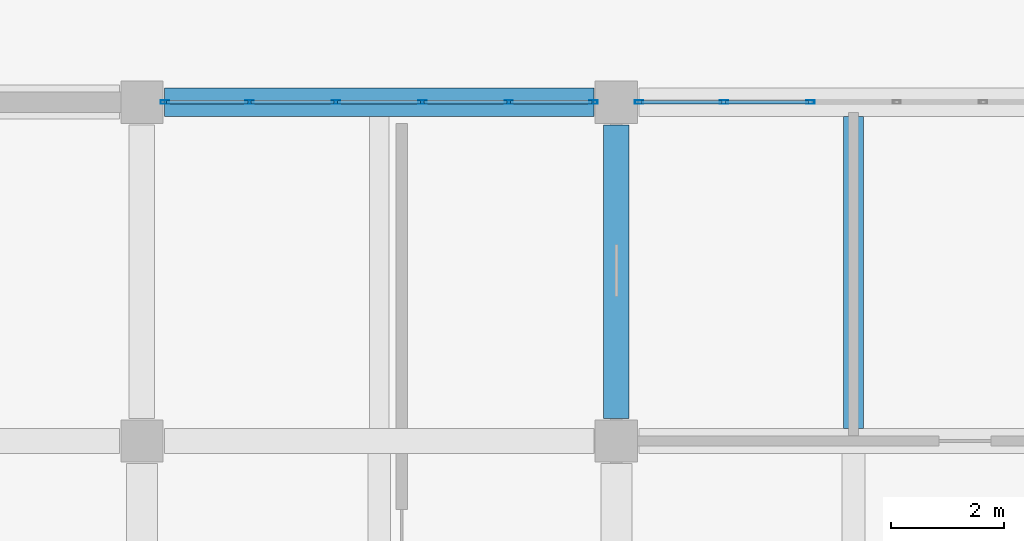
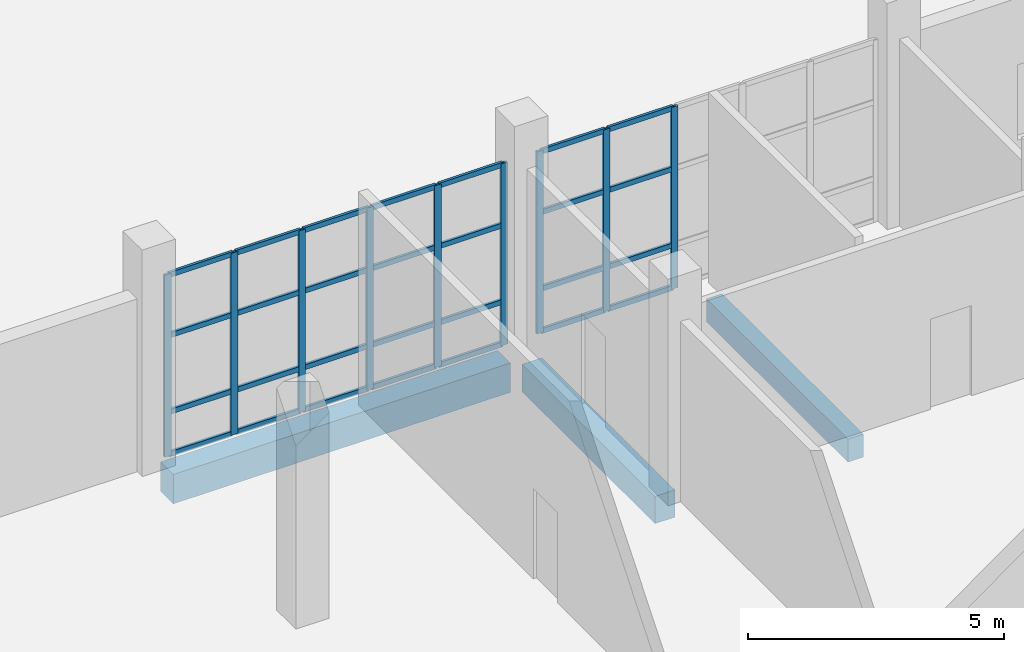
# One storey, part 43 of 78: 37 members, 3 beams, 2 elements without a shape of their own.
"""IFC4 building model written with IfcOpenShell, lengths in metres."""

from ifc_helpers import new_model, si_unit, direction, frame, origin, origin_2d, place, context, subcontext, project, spatial, rectangle, hollow_rectangle, extrude, material, material_profile, profile_set, type_object, element, aggregate, save


model = new_model("IFC4")

# Units and contexts
model_context = context("Model", 3, precision=1e-05, world=origin(), true_north=direction((0.0, 1.0)))
body_context = subcontext(model_context, "Body", "Model", "MODEL_VIEW")
ifc_project = project(units=[si_unit("LENGTHUNIT", "METRE"), si_unit("AREAUNIT", "SQUARE_METRE"), si_unit("VOLUMEUNIT", "CUBIC_METRE"), si_unit("PLANEANGLEUNIT", "RADIAN"), si_unit("MASSUNIT", "GRAM", prefix="KILO")], contexts=[model_context])

# Site, building, storey
site_placement = place(None, origin())
site = spatial("IfcSite", under=ifc_project, at=site_placement, CompositionType="ELEMENT")
building_placement = place(site_placement, origin())
building = spatial("IfcBuilding", under=site, at=building_placement, Name="Pellamere Symphony Hall", CompositionType="ELEMENT")
storey_placement = place(building_placement, origin())
storey = spatial("IfcBuildingStorey", under=building, at=storey_placement, Name="L00", CompositionType="ELEMENT", Elevation=0.0)

# Curtain wall, members
ifc_material_1 = material(Name="Thermally Broken Anodised Aluminium 6063-T6 Curtain Wall", Category="aluminium")
curtain_wall_type = type_object("IfcCurtainWallType", Name="Curtain Wall CW-05 (Artists Wing North Studio Ribbon Curtain Wall)", PredefinedType="NOTDEFINED", material=ifc_material_1)
curtain_wall_1_placement = place(storey_placement, origin())
curtain_wall_1 = element("IfcCurtainWall", 1, at=curtain_wall_1_placement, inside=storey, type_object=curtain_wall_type, Name="Artists Wing North Studio Curtain Wall (L00 Bay 1)", PredefinedType="NOTDEFINED")
ifc_material_2 = material(Name="Anodised Architectural Aluminium 6063-T6", Category="aluminium")
ifc_material_profile_1 = material_profile(ifc_material_2, hollow_rectangle(XDim=0.06005859375, YDim=0.14990234375, WallThickness=0.00390625, at=origin_2d()), Name="ALU-M60X150X4")
ifc_profile_set_1 = profile_set([ifc_material_profile_1], Name="Anodised Architectural Aluminium 6063-T6")
member_type_1 = type_object("IfcMemberType", Name="Curtain Wall Mullion ML-03 ALU-M60X150X4", PredefinedType="MULLION", material=ifc_profile_set_1)
member_1_placement = place(storey_placement, frame((148.0048828125, 99.60009765625, 0.0), z_axis=(0.0, 0.0, 1.0), x_axis=(0.0, 1.0, 0.0)))
member_1 = element("IfcMember", 2, at=member_1_placement, type_object=member_type_1, Name="CW5-124 crystal mullion 1", PredefinedType="MULLION", context=body_context, shape_type="SweptSolid", body=[
    extrude(hollow_rectangle(XDim=0.06005859375, YDim=0.14990234375, WallThickness=0.00390625, at=origin_2d()), origin(), (0.0, 0.0, 1.0), 4.340087890625),
])
member_2_placement = place(storey_placement, frame((149.5048828125, 99.60009765625, 0.0), z_axis=(0.0, 0.0, 1.0), x_axis=(0.0, 1.0, 0.0)))
member_2 = element("IfcMember", 3, at=member_2_placement, type_object=member_type_1, Name="CW5-124 crystal mullion 2", PredefinedType="MULLION", context=body_context, shape_type="SweptSolid", body=[
    extrude(hollow_rectangle(XDim=0.06005859375, YDim=0.14990234375, WallThickness=0.00390625, at=origin_2d()), origin(), (0.0, 0.0, 1.0), 4.340087890625),
])
member_3_placement = place(storey_placement, frame((151.034912109375, 99.60009765625, 0.0), z_axis=(0.0, 0.0, 1.0), x_axis=(0.0, 1.0, 0.0)))
member_3 = element("IfcMember", 4, at=member_3_placement, type_object=member_type_1, Name="CW5-124 crystal mullion 3", PredefinedType="MULLION", context=body_context, shape_type="SweptSolid", body=[
    extrude(hollow_rectangle(XDim=0.06005859375, YDim=0.14990234375, WallThickness=0.00390625, at=origin_2d()), origin(), (0.0, 0.0, 1.0), 4.340087890625),
])
member_4_placement = place(storey_placement, frame((152.56494140625, 99.60009765625, 0.0), z_axis=(0.0, 0.0, 1.0), x_axis=(0.0, 1.0, 0.0)))
member_4 = element("IfcMember", 5, at=member_4_placement, type_object=member_type_1, Name="CW5-124 crystal mullion 4", PredefinedType="MULLION", context=body_context, shape_type="SweptSolid", body=[
    extrude(hollow_rectangle(XDim=0.06005859375, YDim=0.14990234375, WallThickness=0.00390625, at=origin_2d()), origin(), (0.0, 0.0, 1.0), 4.340087890625),
])
member_5_placement = place(storey_placement, frame((154.094970703125, 99.60009765625, 0.0), z_axis=(0.0, 0.0, 1.0), x_axis=(0.0, 1.0, 0.0)))
member_5 = element("IfcMember", 6, at=member_5_placement, type_object=member_type_1, Name="CW5-124 crystal mullion 5", PredefinedType="MULLION", context=body_context, shape_type="SweptSolid", body=[
    extrude(hollow_rectangle(XDim=0.06005859375, YDim=0.14990234375, WallThickness=0.00390625, at=origin_2d()), origin(), (0.0, 0.0, 1.0), 4.340087890625),
])
member_6_placement = place(storey_placement, frame((155.594970703125, 99.60009765625, 0.0), z_axis=(0.0, 0.0, 1.0), x_axis=(0.0, 1.0, 0.0)))
member_6 = element("IfcMember", 7, at=member_6_placement, type_object=member_type_1, Name="CW5-124 crystal mullion 6", PredefinedType="MULLION", context=body_context, shape_type="SweptSolid", body=[
    extrude(hollow_rectangle(XDim=0.06005859375, YDim=0.14990234375, WallThickness=0.00390625, at=origin_2d()), origin(), (0.0, 0.0, 1.0), 4.340087890625),
])

curtain_wall_2_placement = place(storey_placement, origin())
curtain_wall_2 = element("IfcCurtainWall", 8, at=curtain_wall_2_placement, inside=storey, type_object=curtain_wall_type, Name="Artists Wing North Studio Curtain Wall (L00 Bay 2)", PredefinedType="NOTDEFINED")
member_7_placement = place(storey_placement, frame((156.405029296875, 99.60009765625, 0.0), z_axis=(0.0, 0.0, 1.0), x_axis=(0.0, 1.0, 0.0)))
member_7 = element("IfcMember", 9, at=member_7_placement, type_object=member_type_1, Name="CW5-125 crystal mullion 1", PredefinedType="MULLION", context=body_context, shape_type="SweptSolid", body=[
    extrude(hollow_rectangle(XDim=0.06005859375, YDim=0.14990234375, WallThickness=0.00390625, at=origin_2d()), origin(), (0.0, 0.0, 1.0), 4.340087890625),
])
member_8_placement = place(storey_placement, frame((157.905029296875, 99.60009765625, 0.0), z_axis=(0.0, 0.0, 1.0), x_axis=(0.0, 1.0, 0.0)))
member_8 = element("IfcMember", 10, at=member_8_placement, type_object=member_type_1, Name="CW5-125 crystal mullion 2", PredefinedType="MULLION", context=body_context, shape_type="SweptSolid", body=[
    extrude(hollow_rectangle(XDim=0.06005859375, YDim=0.14990234375, WallThickness=0.00390625, at=origin_2d()), origin(), (0.0, 0.0, 1.0), 4.340087890625),
])
member_9_placement = place(storey_placement, frame((159.43505859375, 99.60009765625, 0.0), z_axis=(0.0, 0.0, 1.0), x_axis=(0.0, 1.0, 0.0)))
member_9 = element("IfcMember", 11, at=member_9_placement, type_object=member_type_1, Name="CW5-125 crystal mullion 3", PredefinedType="MULLION", context=body_context, shape_type="SweptSolid", body=[
    extrude(hollow_rectangle(XDim=0.06005859375, YDim=0.14990234375, WallThickness=0.00390625, at=origin_2d()), origin(), (0.0, 0.0, 1.0), 4.340087890625),
])

# Member
ifc_material_profile_2 = material_profile(ifc_material_2, hollow_rectangle(XDim=0.06005859375, YDim=0.1201171875, WallThickness=0.00390625, at=origin_2d()), Name="ALU-T60X120X4")
ifc_profile_set_2 = profile_set([ifc_material_profile_2], Name="Anodised Architectural Aluminium 6063-T6")
member_type_2 = type_object("IfcMemberType", Name="Curtain Wall Transom TR-03 ALU-T60X120X4", PredefinedType="USERDEFINED", material=ifc_profile_set_2)
member_10_placement = place(storey_placement, frame((148.034912109375, 99.60009765625, 0.030029296875), z_axis=(1.0, 0.0, 0.0), x_axis=(0.0, 1.0, 0.0)))
member_10 = element("IfcMember", 12, at=member_10_placement, type_object=member_type_2, Name="CW5-124 crystal transom 1.1", ObjectType="TRANSOM", PredefinedType="USERDEFINED", context=body_context, shape_type="SweptSolid", body=[
    extrude(hollow_rectangle(XDim=0.06005859375, YDim=0.1201171875, WallThickness=0.00390625, at=origin_2d()), origin(), (0.0, 0.0, 1.0), 1.440185546875),
])

member_11_placement = place(storey_placement, frame((148.034912109375, 99.60009765625, 1.04150390625), z_axis=(1.0, 0.0, 0.0), x_axis=(0.0, 1.0, 0.0)))
member_11 = element("IfcMember", 13, at=member_11_placement, type_object=member_type_2, Name="CW5-124 crystal transom 1.2", ObjectType="TRANSOM", PredefinedType="USERDEFINED", context=body_context, shape_type="SweptSolid", body=[
    extrude(hollow_rectangle(XDim=0.06005859375, YDim=0.1201171875, WallThickness=0.00390625, at=origin_2d()), origin(), (0.0, 0.0, 1.0), 1.440185546875),
])

member_12_placement = place(storey_placement, frame((148.034912109375, 99.60009765625, 2.864501953125), z_axis=(1.0, 0.0, 0.0), x_axis=(0.0, 1.0, 0.0)))
member_12 = element("IfcMember", 14, at=member_12_placement, type_object=member_type_2, Name="CW5-124 crystal transom 1.3", ObjectType="TRANSOM", PredefinedType="USERDEFINED", context=body_context, shape_type="SweptSolid", body=[
    extrude(hollow_rectangle(XDim=0.06005859375, YDim=0.1201171875, WallThickness=0.00390625, at=origin_2d()), origin(), (0.0, 0.0, 1.0), 1.440185546875),
])

member_13_placement = place(storey_placement, frame((148.034912109375, 99.60009765625, 4.31005859375), z_axis=(1.0, 0.0, 0.0), x_axis=(0.0, 1.0, 0.0)))
member_13 = element("IfcMember", 15, at=member_13_placement, type_object=member_type_2, Name="CW5-124 crystal transom 1.4", ObjectType="TRANSOM", PredefinedType="USERDEFINED", context=body_context, shape_type="SweptSolid", body=[
    extrude(hollow_rectangle(XDim=0.06005859375, YDim=0.1201171875, WallThickness=0.00390625, at=origin_2d()), origin(), (0.0, 0.0, 1.0), 1.440185546875),
])

member_14_placement = place(storey_placement, frame((149.534912109375, 99.60009765625, 0.030029296875), z_axis=(1.0, 0.0, 0.0), x_axis=(0.0, 1.0, 0.0)))
member_14 = element("IfcMember", 16, at=member_14_placement, type_object=member_type_2, Name="CW5-124 crystal transom 2.1", ObjectType="TRANSOM", PredefinedType="USERDEFINED", context=body_context, shape_type="SweptSolid", body=[
    extrude(hollow_rectangle(XDim=0.06005859375, YDim=0.1201171875, WallThickness=0.00390625, at=origin_2d()), origin(), (0.0, 0.0, 1.0), 1.469970703125),
])

member_15_placement = place(storey_placement, frame((149.534912109375, 99.60009765625, 1.04150390625), z_axis=(1.0, 0.0, 0.0), x_axis=(0.0, 1.0, 0.0)))
member_15 = element("IfcMember", 17, at=member_15_placement, type_object=member_type_2, Name="CW5-124 crystal transom 2.2", ObjectType="TRANSOM", PredefinedType="USERDEFINED", context=body_context, shape_type="SweptSolid", body=[
    extrude(hollow_rectangle(XDim=0.06005859375, YDim=0.1201171875, WallThickness=0.00390625, at=origin_2d()), origin(), (0.0, 0.0, 1.0), 1.469970703125),
])

member_16_placement = place(storey_placement, frame((149.534912109375, 99.60009765625, 2.864501953125), z_axis=(1.0, 0.0, 0.0), x_axis=(0.0, 1.0, 0.0)))
member_16 = element("IfcMember", 18, at=member_16_placement, type_object=member_type_2, Name="CW5-124 crystal transom 2.3", ObjectType="TRANSOM", PredefinedType="USERDEFINED", context=body_context, shape_type="SweptSolid", body=[
    extrude(hollow_rectangle(XDim=0.06005859375, YDim=0.1201171875, WallThickness=0.00390625, at=origin_2d()), origin(), (0.0, 0.0, 1.0), 1.469970703125),
])

member_17_placement = place(storey_placement, frame((149.534912109375, 99.60009765625, 4.31005859375), z_axis=(1.0, 0.0, 0.0), x_axis=(0.0, 1.0, 0.0)))
member_17 = element("IfcMember", 19, at=member_17_placement, type_object=member_type_2, Name="CW5-124 crystal transom 2.4", ObjectType="TRANSOM", PredefinedType="USERDEFINED", context=body_context, shape_type="SweptSolid", body=[
    extrude(hollow_rectangle(XDim=0.06005859375, YDim=0.1201171875, WallThickness=0.00390625, at=origin_2d()), origin(), (0.0, 0.0, 1.0), 1.469970703125),
])

member_18_placement = place(storey_placement, frame((151.06494140625, 99.60009765625, 0.030029296875), z_axis=(1.0, 0.0, 0.0), x_axis=(0.0, 1.0, 0.0)))
member_18 = element("IfcMember", 20, at=member_18_placement, type_object=member_type_2, Name="CW5-124 crystal transom 3.1", ObjectType="TRANSOM", PredefinedType="USERDEFINED", context=body_context, shape_type="SweptSolid", body=[
    extrude(hollow_rectangle(XDim=0.06005859375, YDim=0.1201171875, WallThickness=0.00390625, at=origin_2d()), origin(), (0.0, 0.0, 1.0), 1.469970703125),
])

member_19_placement = place(storey_placement, frame((151.06494140625, 99.60009765625, 1.04150390625), z_axis=(1.0, 0.0, 0.0), x_axis=(0.0, 1.0, 0.0)))
member_19 = element("IfcMember", 21, at=member_19_placement, type_object=member_type_2, Name="CW5-124 crystal transom 3.2", ObjectType="TRANSOM", PredefinedType="USERDEFINED", context=body_context, shape_type="SweptSolid", body=[
    extrude(hollow_rectangle(XDim=0.06005859375, YDim=0.1201171875, WallThickness=0.00390625, at=origin_2d()), origin(), (0.0, 0.0, 1.0), 1.469970703125),
])

member_20_placement = place(storey_placement, frame((151.06494140625, 99.60009765625, 2.864501953125), z_axis=(1.0, 0.0, 0.0), x_axis=(0.0, 1.0, 0.0)))
member_20 = element("IfcMember", 22, at=member_20_placement, type_object=member_type_2, Name="CW5-124 crystal transom 3.3", ObjectType="TRANSOM", PredefinedType="USERDEFINED", context=body_context, shape_type="SweptSolid", body=[
    extrude(hollow_rectangle(XDim=0.06005859375, YDim=0.1201171875, WallThickness=0.00390625, at=origin_2d()), origin(), (0.0, 0.0, 1.0), 1.469970703125),
])

member_21_placement = place(storey_placement, frame((151.06494140625, 99.60009765625, 4.31005859375), z_axis=(1.0, 0.0, 0.0), x_axis=(0.0, 1.0, 0.0)))
member_21 = element("IfcMember", 23, at=member_21_placement, type_object=member_type_2, Name="CW5-124 crystal transom 3.4", ObjectType="TRANSOM", PredefinedType="USERDEFINED", context=body_context, shape_type="SweptSolid", body=[
    extrude(hollow_rectangle(XDim=0.06005859375, YDim=0.1201171875, WallThickness=0.00390625, at=origin_2d()), origin(), (0.0, 0.0, 1.0), 1.469970703125),
])

member_22_placement = place(storey_placement, frame((152.594970703125, 99.60009765625, 0.030029296875), z_axis=(1.0, 0.0, 0.0), x_axis=(0.0, 1.0, 0.0)))
member_22 = element("IfcMember", 24, at=member_22_placement, type_object=member_type_2, Name="CW5-124 crystal transom 4.1", ObjectType="TRANSOM", PredefinedType="USERDEFINED", context=body_context, shape_type="SweptSolid", body=[
    extrude(hollow_rectangle(XDim=0.06005859375, YDim=0.1201171875, WallThickness=0.00390625, at=origin_2d()), origin(), (0.0, 0.0, 1.0), 1.469970703125),
])

member_23_placement = place(storey_placement, frame((152.594970703125, 99.60009765625, 1.04150390625), z_axis=(1.0, 0.0, 0.0), x_axis=(0.0, 1.0, 0.0)))
member_23 = element("IfcMember", 25, at=member_23_placement, type_object=member_type_2, Name="CW5-124 crystal transom 4.2", ObjectType="TRANSOM", PredefinedType="USERDEFINED", context=body_context, shape_type="SweptSolid", body=[
    extrude(hollow_rectangle(XDim=0.06005859375, YDim=0.1201171875, WallThickness=0.00390625, at=origin_2d()), origin(), (0.0, 0.0, 1.0), 1.469970703125),
])

member_24_placement = place(storey_placement, frame((152.594970703125, 99.60009765625, 2.864501953125), z_axis=(1.0, 0.0, 0.0), x_axis=(0.0, 1.0, 0.0)))
member_24 = element("IfcMember", 26, at=member_24_placement, type_object=member_type_2, Name="CW5-124 crystal transom 4.3", ObjectType="TRANSOM", PredefinedType="USERDEFINED", context=body_context, shape_type="SweptSolid", body=[
    extrude(hollow_rectangle(XDim=0.06005859375, YDim=0.1201171875, WallThickness=0.00390625, at=origin_2d()), origin(), (0.0, 0.0, 1.0), 1.469970703125),
])

member_25_placement = place(storey_placement, frame((152.594970703125, 99.60009765625, 4.31005859375), z_axis=(1.0, 0.0, 0.0), x_axis=(0.0, 1.0, 0.0)))
member_25 = element("IfcMember", 27, at=member_25_placement, type_object=member_type_2, Name="CW5-124 crystal transom 4.4", ObjectType="TRANSOM", PredefinedType="USERDEFINED", context=body_context, shape_type="SweptSolid", body=[
    extrude(hollow_rectangle(XDim=0.06005859375, YDim=0.1201171875, WallThickness=0.00390625, at=origin_2d()), origin(), (0.0, 0.0, 1.0), 1.469970703125),
])

member_26_placement = place(storey_placement, frame((154.125, 99.60009765625, 0.030029296875), z_axis=(1.0, 0.0, 0.0), x_axis=(0.0, 1.0, 0.0)))
member_26 = element("IfcMember", 28, at=member_26_placement, type_object=member_type_2, Name="CW5-124 crystal transom 5.1", ObjectType="TRANSOM", PredefinedType="USERDEFINED", context=body_context, shape_type="SweptSolid", body=[
    extrude(hollow_rectangle(XDim=0.06005859375, YDim=0.1201171875, WallThickness=0.00390625, at=origin_2d()), origin(), (0.0, 0.0, 1.0), 1.43994140625),
])

member_27_placement = place(storey_placement, frame((154.125, 99.60009765625, 1.04150390625), z_axis=(1.0, 0.0, 0.0), x_axis=(0.0, 1.0, 0.0)))
member_27 = element("IfcMember", 29, at=member_27_placement, type_object=member_type_2, Name="CW5-124 crystal transom 5.2", ObjectType="TRANSOM", PredefinedType="USERDEFINED", context=body_context, shape_type="SweptSolid", body=[
    extrude(hollow_rectangle(XDim=0.06005859375, YDim=0.1201171875, WallThickness=0.00390625, at=origin_2d()), origin(), (0.0, 0.0, 1.0), 1.43994140625),
])

member_28_placement = place(storey_placement, frame((154.125, 99.60009765625, 2.864501953125), z_axis=(1.0, 0.0, 0.0), x_axis=(0.0, 1.0, 0.0)))
member_28 = element("IfcMember", 30, at=member_28_placement, type_object=member_type_2, Name="CW5-124 crystal transom 5.3", ObjectType="TRANSOM", PredefinedType="USERDEFINED", context=body_context, shape_type="SweptSolid", body=[
    extrude(hollow_rectangle(XDim=0.06005859375, YDim=0.1201171875, WallThickness=0.00390625, at=origin_2d()), origin(), (0.0, 0.0, 1.0), 1.43994140625),
])

member_29_placement = place(storey_placement, frame((154.125, 99.60009765625, 4.31005859375), z_axis=(1.0, 0.0, 0.0), x_axis=(0.0, 1.0, 0.0)))
member_29 = element("IfcMember", 31, at=member_29_placement, type_object=member_type_2, Name="CW5-124 crystal transom 5.4", ObjectType="TRANSOM", PredefinedType="USERDEFINED", context=body_context, shape_type="SweptSolid", body=[
    extrude(hollow_rectangle(XDim=0.06005859375, YDim=0.1201171875, WallThickness=0.00390625, at=origin_2d()), origin(), (0.0, 0.0, 1.0), 1.43994140625),
])

aggregate(curtain_wall_1, [member_1, member_2, member_3, member_4, member_5, member_6, member_10, member_11, member_12, member_13, member_14, member_15, member_16, member_17, member_18, member_19, member_20, member_21, member_22, member_23, member_24, member_25, member_26, member_27, member_28, member_29])

member_30_placement = place(storey_placement, frame((156.43505859375, 99.60009765625, 0.030029296875), z_axis=(1.0, 0.0, 0.0), x_axis=(0.0, 1.0, 0.0)))
member_30 = element("IfcMember", 32, at=member_30_placement, type_object=member_type_2, Name="CW5-125 crystal transom 1.1", ObjectType="TRANSOM", PredefinedType="USERDEFINED", context=body_context, shape_type="SweptSolid", body=[
    extrude(hollow_rectangle(XDim=0.06005859375, YDim=0.1201171875, WallThickness=0.00390625, at=origin_2d()), origin(), (0.0, 0.0, 1.0), 1.43994140625),
])

member_31_placement = place(storey_placement, frame((156.43505859375, 99.60009765625, 1.04150390625), z_axis=(1.0, 0.0, 0.0), x_axis=(0.0, 1.0, 0.0)))
member_31 = element("IfcMember", 33, at=member_31_placement, type_object=member_type_2, Name="CW5-125 crystal transom 1.2", ObjectType="TRANSOM", PredefinedType="USERDEFINED", context=body_context, shape_type="SweptSolid", body=[
    extrude(hollow_rectangle(XDim=0.06005859375, YDim=0.1201171875, WallThickness=0.00390625, at=origin_2d()), origin(), (0.0, 0.0, 1.0), 1.43994140625),
])

member_32_placement = place(storey_placement, frame((156.43505859375, 99.60009765625, 2.864501953125), z_axis=(1.0, 0.0, 0.0), x_axis=(0.0, 1.0, 0.0)))
member_32 = element("IfcMember", 34, at=member_32_placement, type_object=member_type_2, Name="CW5-125 crystal transom 1.3", ObjectType="TRANSOM", PredefinedType="USERDEFINED", context=body_context, shape_type="SweptSolid", body=[
    extrude(hollow_rectangle(XDim=0.06005859375, YDim=0.1201171875, WallThickness=0.00390625, at=origin_2d()), origin(), (0.0, 0.0, 1.0), 1.43994140625),
])

member_33_placement = place(storey_placement, frame((156.43505859375, 99.60009765625, 4.31005859375), z_axis=(1.0, 0.0, 0.0), x_axis=(0.0, 1.0, 0.0)))
member_33 = element("IfcMember", 35, at=member_33_placement, type_object=member_type_2, Name="CW5-125 crystal transom 1.4", ObjectType="TRANSOM", PredefinedType="USERDEFINED", context=body_context, shape_type="SweptSolid", body=[
    extrude(hollow_rectangle(XDim=0.06005859375, YDim=0.1201171875, WallThickness=0.00390625, at=origin_2d()), origin(), (0.0, 0.0, 1.0), 1.43994140625),
])

member_34_placement = place(storey_placement, frame((157.93505859375, 99.60009765625, 0.030029296875), z_axis=(1.0, 0.0, 0.0), x_axis=(0.0, 1.0, 0.0)))
member_34 = element("IfcMember", 36, at=member_34_placement, type_object=member_type_2, Name="CW5-125 crystal transom 2.1", ObjectType="TRANSOM", PredefinedType="USERDEFINED", context=body_context, shape_type="SweptSolid", body=[
    extrude(hollow_rectangle(XDim=0.06005859375, YDim=0.1201171875, WallThickness=0.00390625, at=origin_2d()), origin(), (0.0, 0.0, 1.0), 1.469970703125),
])

member_35_placement = place(storey_placement, frame((157.93505859375, 99.60009765625, 1.04150390625), z_axis=(1.0, 0.0, 0.0), x_axis=(0.0, 1.0, 0.0)))
member_35 = element("IfcMember", 37, at=member_35_placement, type_object=member_type_2, Name="CW5-125 crystal transom 2.2", ObjectType="TRANSOM", PredefinedType="USERDEFINED", context=body_context, shape_type="SweptSolid", body=[
    extrude(hollow_rectangle(XDim=0.06005859375, YDim=0.1201171875, WallThickness=0.00390625, at=origin_2d()), origin(), (0.0, 0.0, 1.0), 1.469970703125),
])

member_36_placement = place(storey_placement, frame((157.93505859375, 99.60009765625, 2.864501953125), z_axis=(1.0, 0.0, 0.0), x_axis=(0.0, 1.0, 0.0)))
member_36 = element("IfcMember", 38, at=member_36_placement, type_object=member_type_2, Name="CW5-125 crystal transom 2.3", ObjectType="TRANSOM", PredefinedType="USERDEFINED", context=body_context, shape_type="SweptSolid", body=[
    extrude(hollow_rectangle(XDim=0.06005859375, YDim=0.1201171875, WallThickness=0.00390625, at=origin_2d()), origin(), (0.0, 0.0, 1.0), 1.469970703125),
])

member_37_placement = place(storey_placement, frame((157.93505859375, 99.60009765625, 4.31005859375), z_axis=(1.0, 0.0, 0.0), x_axis=(0.0, 1.0, 0.0)))
member_37 = element("IfcMember", 39, at=member_37_placement, type_object=member_type_2, Name="CW5-125 crystal transom 2.4", ObjectType="TRANSOM", PredefinedType="USERDEFINED", context=body_context, shape_type="SweptSolid", body=[
    extrude(hollow_rectangle(XDim=0.06005859375, YDim=0.1201171875, WallThickness=0.00390625, at=origin_2d()), origin(), (0.0, 0.0, 1.0), 1.469970703125),
])

aggregate(curtain_wall_2, [member_7, member_8, member_9, member_30, member_31, member_32, member_33, member_34, member_35, member_36, member_37])

# Beams
ifc_material_3 = material(Name="Concrete 40 MPa", Category="concrete")
ifc_material_profile_3 = material_profile(ifc_material_3, rectangle(XDim=0.5, YDim=0.699951171875, at=origin_2d()), Name="RC 500x700")
ifc_profile_set_3 = profile_set([ifc_material_profile_3], Name="Concrete 40 MPa")
beam_type_1 = type_object("IfcBeamType", Name="RC CB-07 500x700", PredefinedType="BEAM", material=ifc_profile_set_3)
beam_1_placement = place(storey_placement, frame((148.0, 99.60009765625, -0.64990234375), z_axis=(1.0, 0.0, 0.0), x_axis=(0.0, 1.0, 0.0)))
element("IfcBeam", 40, at=beam_1_placement, inside=storey, type_object=beam_type_1, Name="Girder CB-07-X0180 (L00)", PredefinedType="BEAM", context=body_context, shape_type="SweptSolid", body=[
    extrude(rectangle(XDim=0.5, YDim=0.699951171875, at=origin_2d()), origin(), (0.0, 0.0, 1.0), 7.60009765625),
])
ifc_material_profile_4 = material_profile(ifc_material_3, rectangle(XDim=0.449951171875, YDim=0.64990234375, at=origin_2d()), Name="RC 450x650")
ifc_profile_set_4 = profile_set([ifc_material_profile_4], Name="Concrete 40 MPa")
beam_type_2 = type_object("IfcBeamType", Name="RC CB-08 450x650", PredefinedType="BEAM", material=ifc_profile_set_4)
beam_2_placement = place(storey_placement, frame((156.0, 94.0, -0.625), z_axis=(0.0, 1.0, 0.0), x_axis=(-1.0, 0.0, 0.0)))
element("IfcBeam", 41, at=beam_2_placement, inside=storey, type_object=beam_type_2, Name="Girder CB-08-Y0367 (L00)", PredefinedType="BEAM", context=body_context, shape_type="SweptSolid", body=[
    extrude(rectangle(XDim=0.449951171875, YDim=0.64990234375, at=origin_2d()), origin(), (0.0, 0.0, 1.0), 5.199951171875),
])
ifc_material_4 = material(Name="Concrete 35 MPa", Category="concrete")
ifc_material_profile_5 = material_profile(ifc_material_4, rectangle(XDim=0.35009765625, YDim=0.550048828125, at=origin_2d()), Name="RC 350x550")
ifc_profile_set_5 = profile_set([ifc_material_profile_5], Name="Concrete 35 MPa")
beam_type_3 = type_object("IfcBeamType", Name="RC CB-10 350x550", PredefinedType="BEAM", material=ifc_profile_set_5)
beam_3_placement = place(storey_placement, frame((160.199951171875, 93.824951171875, -0.590087890625), z_axis=(0.0, 1.0, 0.0), x_axis=(-1.0, 0.0, 0.0)))
element("IfcBeam", 42, at=beam_3_placement, inside=storey, type_object=beam_type_3, Name="Secondary Floor Beam CB-10-M1912 (L00)", PredefinedType="BEAM", context=body_context, shape_type="SweptSolid", body=[
    extrude(rectangle(XDim=0.35009765625, YDim=0.550048828125, at=origin_2d()), origin(), (0.0, 0.0, 1.0), 5.525146484375),
])

save(model, "model.ifc")
